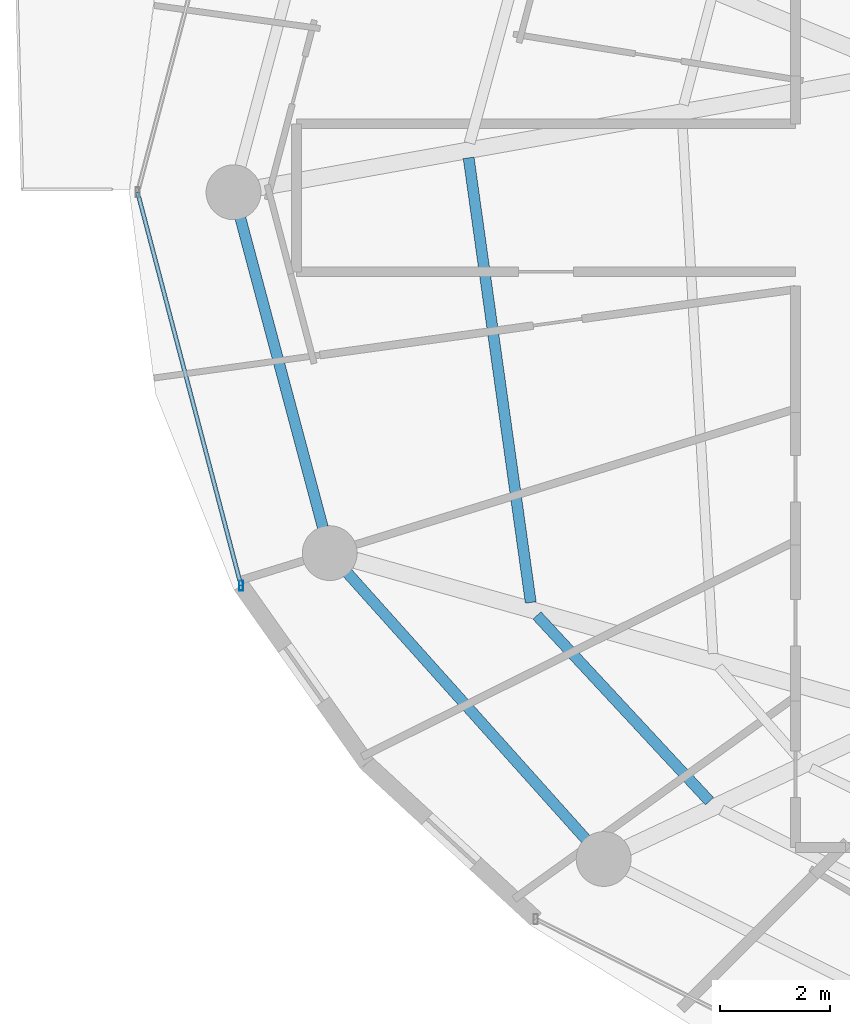
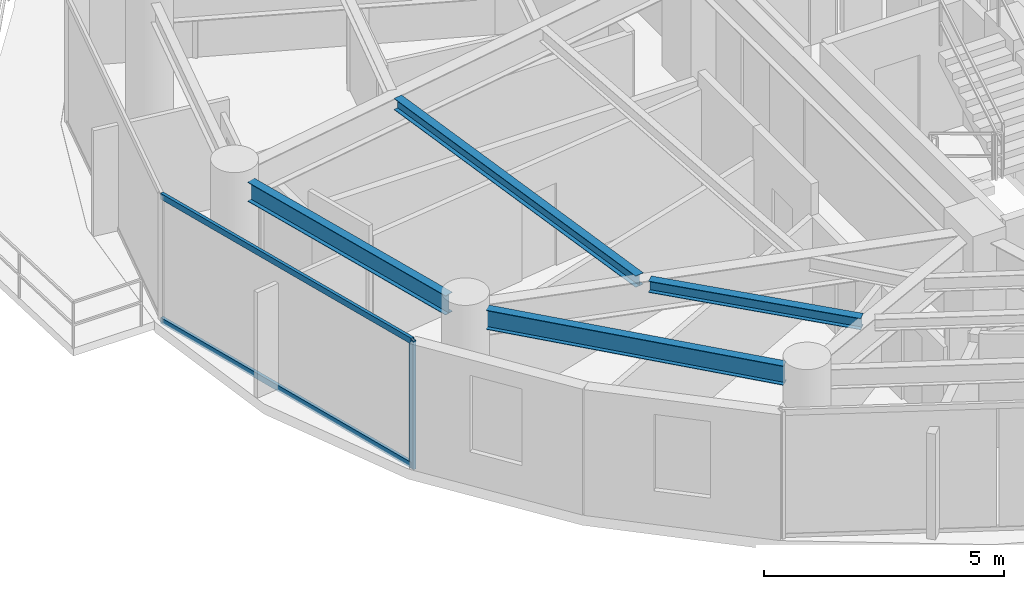
# One storey, part 3 of 29: 4 beams, 3 members, 1 element without a shape of its own.
"""IFC4 building model written with IfcOpenShell, lengths in metres."""

from ifc_helpers import new_model, si_unit, direction, frame, origin, origin_2d, place, context, subcontext, project, spatial, hollow_rectangle, i_section, extrude, material, material_profile, profile_set, type_object, element, aggregate, save


model = new_model("IFC4")

# Units and contexts
model_context = context("Model", 3, precision=1e-05, world=origin(), true_north=direction((0.0, 1.0)))
body_context = subcontext(model_context, "Body", "Model", "MODEL_VIEW")
ifc_project = project(units=[si_unit("LENGTHUNIT", "METRE"), si_unit("AREAUNIT", "SQUARE_METRE"), si_unit("VOLUMEUNIT", "CUBIC_METRE"), si_unit("PLANEANGLEUNIT", "RADIAN"), si_unit("MASSUNIT", "GRAM", prefix="KILO")], contexts=[model_context])

# Site, building, storey
site_placement = place(None, origin())
site = spatial("IfcSite", under=ifc_project, at=site_placement, CompositionType="ELEMENT")
building_placement = place(site_placement, origin())
building = spatial("IfcBuilding", under=site, at=building_placement, Name="Vorneva Point Tower", CompositionType="ELEMENT")
storey_placement = place(building_placement, frame((0.0, 0.0, 171.10009765625)))
storey = spatial("IfcBuildingStorey", under=building, at=storey_placement, Name="L46", CompositionType="ELEMENT", Elevation=171.10009765625)

# Beams
ifc_material_1 = material(Name="Steel S355", Category="steel")
ifc_material_profile_1 = material_profile(ifc_material_1, i_section(OverallWidth=0.199951171875, OverallDepth=0.291015625, WebThickness=0.008056640625, FlangeThickness=0.010986328125, at=origin_2d()), Name="30Sh1")
ifc_profile_set_1 = profile_set([ifc_material_profile_1], Name="Steel S355")
beam_type_1 = type_object("IfcBeamType", Name="BM-SEC-30Sh1", PredefinedType="BEAM", material=ifc_profile_set_1)
beam_1_placement = place(storey_placement, frame((19.239501953125, 26.627197265625, 3.054443359375), z_axis=(0.13833204721, -0.990385906965, 0.0), x_axis=(0.990385906965, 0.13833204721, 0.0)))
element("IfcBeam", 1, at=beam_1_placement, inside=storey, type_object=beam_type_1, Name="L46 Secondary Floor Beam 1.09", PredefinedType="BEAM", context=body_context, shape_type="SweptSolid", body=[
    extrude(i_section(OverallWidth=0.199951171875, OverallDepth=0.291015625, WebThickness=0.008056640625, FlangeThickness=0.010986328125, at=origin_2d()), origin(), (0.0, 0.0, 1.0), 8.18896484375),
])
beam_2_placement = place(storey_placement, frame((20.4853515625, 18.279296875, 3.054443359375), z_axis=(0.680732567177, -0.732532027959, 0.0), x_axis=(0.732532027959, 0.680732567177, 0.0)))
element("IfcBeam", 2, at=beam_2_placement, inside=storey, type_object=beam_type_1, Name="L46 Secondary Floor Beam 1.10", PredefinedType="BEAM", context=body_context, shape_type="SweptSolid", body=[
    extrude(i_section(OverallWidth=0.199951171875, OverallDepth=0.291015625, WebThickness=0.008056640625, FlangeThickness=0.010986328125, at=origin_2d()), origin(), (0.0, 0.0, 1.0), 4.62353515625),
])
ifc_material_profile_2 = material_profile(ifc_material_1, i_section(OverallWidth=0.199951171875, OverallDepth=0.491943359375, WebThickness=0.0087890625, FlangeThickness=0.011962890625, at=origin_2d()), Name="50B1")
ifc_profile_set_2 = profile_set([ifc_material_profile_2], Name="Steel S355")
beam_type_2 = type_object("IfcBeamType", Name="BM-SPN-50B1", PredefinedType="SPANDREL", material=ifc_profile_set_2)
beam_3_placement = place(storey_placement, frame((15.074951171875, 25.531494140625, 2.953857421875), z_axis=(0.257550804648, -0.966264758245, 0.0), x_axis=(0.966264758245, 0.257550804648, 0.0)))
element("IfcBeam", 3, at=beam_3_placement, inside=storey, type_object=beam_type_2, Name="L46 Perimeter Spandrel Ring Beam 09", PredefinedType="SPANDREL", context=body_context, shape_type="SweptSolid", body=[
    extrude(i_section(OverallWidth=0.199951171875, OverallDepth=0.491943359375, WebThickness=0.0087890625, FlangeThickness=0.011962890625, at=origin_2d()), origin(), (0.0, 0.0, 1.0), 5.842041015625),
])
beam_4_placement = place(storey_placement, frame((17.028076171875, 19.056396484375, 2.953857421875), z_axis=(0.667111118975, -0.74495822362, 0.0), x_axis=(0.74495822362, 0.667111118975, 0.0)))
element("IfcBeam", 4, at=beam_4_placement, inside=storey, type_object=beam_type_2, Name="L46 Perimeter Spandrel Ring Beam 10", PredefinedType="SPANDREL", context=body_context, shape_type="SweptSolid", body=[
    extrude(i_section(OverallWidth=0.199951171875, OverallDepth=0.491943359375, WebThickness=0.0087890625, FlangeThickness=0.011962890625, at=origin_2d()), origin(), (0.0, 0.0, 1.0), 6.52001953125),
])

# Curtain wall, members
ifc_material_2 = material(Name="Pale anodised aluminium", Category="aluminium")
curtain_wall_type = type_object("IfcCurtainWallType", Name="CW-RES-SYS", PredefinedType="NOTDEFINED", material=ifc_material_2)
curtain_wall_placement = place(storey_placement, origin())
curtain_wall = element("IfcCurtainWall", 5, at=curtain_wall_placement, inside=storey, type_object=curtain_wall_type, Name="L46 Unitised Curtain Wall CW-L46-R03", PredefinedType="NOTDEFINED")
ifc_material_profile_3 = material_profile(ifc_material_2, hollow_rectangle(XDim=0.074951171875, YDim=0.179931640625, WallThickness=0.00390625, at=origin_2d()), Name="AL-MUL 180x75x4")
ifc_profile_set_3 = profile_set([ifc_material_profile_3], Name="Pale anodised aluminium")
member_type_1 = type_object("IfcMemberType", Name="CW-MUL-180", PredefinedType="MULLION", material=ifc_profile_set_3)
member_1_placement = place(storey_placement, frame((15.087890625, 18.82470703125, -0.0400390625), z_axis=(0.0, 0.0, 1.0), x_axis=(1.0, 0.0, 0.0)))
member_1 = element("IfcMember", 6, at=member_1_placement, type_object=member_type_1, Name="CW-L46-R03 Mullion 04", PredefinedType="MULLION", context=body_context, shape_type="SweptSolid", body=[
    extrude(hollow_rectangle(XDim=0.074951171875, YDim=0.179931640625, WallThickness=0.00390625, at=origin_2d()), origin(), (0.0, 0.0, 1.0), 3.27001953125),
])
ifc_material_profile_4 = material_profile(ifc_material_2, hollow_rectangle(XDim=0.074951171875, YDim=0.14990234375, WallThickness=0.00390625, at=origin_2d()), Name="AL-TRN 150x75x4")
ifc_profile_set_4 = profile_set([ifc_material_profile_4], Name="Pale anodised aluminium")
member_type_2 = type_object("IfcMemberType", Name="CW-TRN-150", PredefinedType="USERDEFINED", material=ifc_profile_set_4)
member_2_placement = place(storey_placement, frame((13.199951171875, 26.0, 0.02001953125), z_axis=(0.254456046293, -0.967084339913, 0.0), x_axis=(0.967084339913, 0.254456046293, 0.0)))
member_2 = element("IfcMember", 7, at=member_2_placement, type_object=member_type_2, Name="CW-L46-R03 Transom 03.1", ObjectType="TRANSOM", PredefinedType="USERDEFINED", context=body_context, shape_type="SweptSolid", body=[
    extrude(hollow_rectangle(XDim=0.074951171875, YDim=0.14990234375, WallThickness=0.00390625, at=origin_2d()), origin(), (0.0, 0.0, 1.0), 7.41943359375),
])
member_3_placement = place(storey_placement, frame((13.199951171875, 26.0, 3.179931640625), z_axis=(0.254456046293, -0.967084339913, 0.0), x_axis=(0.967084339913, 0.254456046293, 0.0)))
member_3 = element("IfcMember", 8, at=member_3_placement, type_object=member_type_2, Name="CW-L46-R03 Transom 03.2", ObjectType="TRANSOM", PredefinedType="USERDEFINED", context=body_context, shape_type="SweptSolid", body=[
    extrude(hollow_rectangle(XDim=0.074951171875, YDim=0.14990234375, WallThickness=0.00390625, at=origin_2d()), origin(), (0.0, 0.0, 1.0), 7.41943359375),
])
aggregate(curtain_wall, [member_1, member_2, member_3])

save(model, "model.ifc")
